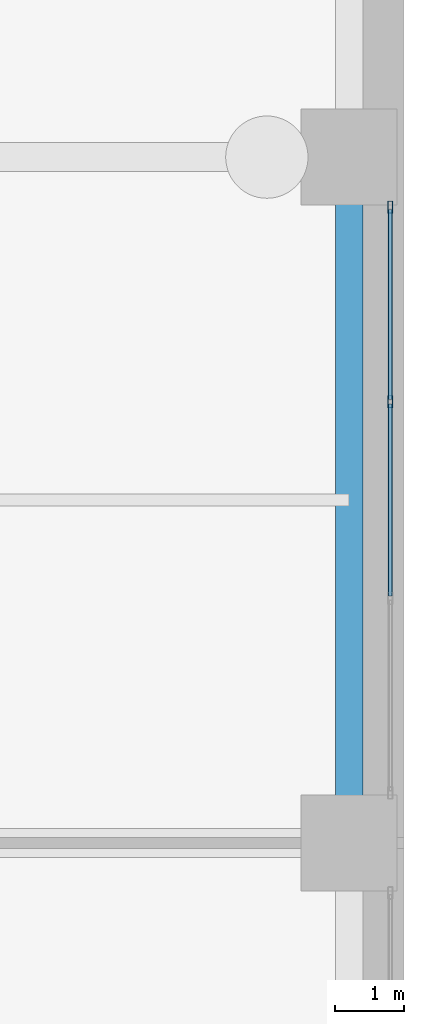
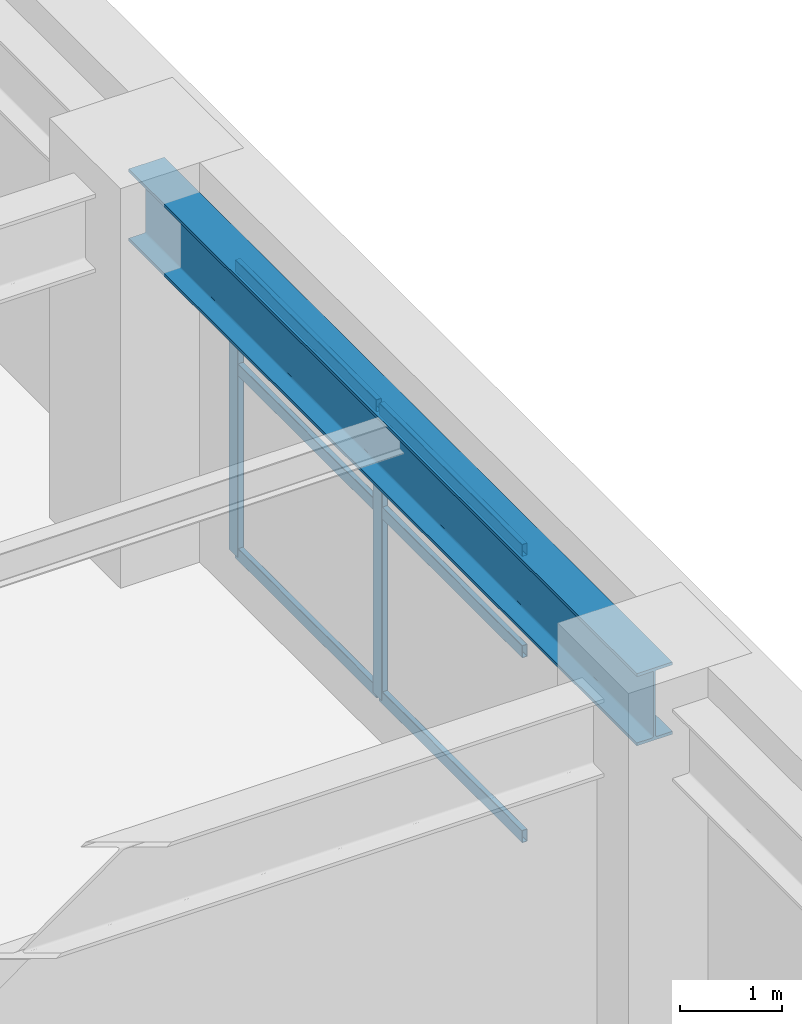
# One storey, part 15 of 25: 8 members, 1 beam, 1 element without a shape of its own.
"""IFC4 building model written with IfcOpenShell, lengths in metres."""

from ifc_helpers import new_model, si_unit, direction, frame, origin, origin_2d, place, context, subcontext, project, spatial, hollow_rectangle, i_section, extrude, material, layer, layer_set, material_profile, profile_set, type_object, element, aggregate, save


model = new_model("IFC4")

# Units and contexts
model_context = context("Model", 3, precision=1e-05, world=origin(), true_north=direction((0.0, 1.0)))
body_context = subcontext(model_context, "Body", "Model", "MODEL_VIEW")
ifc_project = project(units=[si_unit("LENGTHUNIT", "METRE"), si_unit("AREAUNIT", "SQUARE_METRE"), si_unit("VOLUMEUNIT", "CUBIC_METRE"), si_unit("PLANEANGLEUNIT", "RADIAN"), si_unit("MASSUNIT", "GRAM", prefix="KILO")], contexts=[model_context])

# Site, building, storey
site_placement = place(None, origin())
site = spatial("IfcSite", under=ifc_project, at=site_placement, CompositionType="ELEMENT")
building_placement = place(site_placement, origin())
building = spatial("IfcBuilding", under=site, at=building_placement, Name="Soratama Intermodal Tower", CompositionType="ELEMENT")
storey_placement = place(building_placement, frame((0.0, 0.0, -10.199951171875)))
storey = spatial("IfcBuildingStorey", under=building, at=storey_placement, Name="B2", CompositionType="ELEMENT", Elevation=-10.199951171875)

# Beam
ifc_material_1 = material(Name="Structural steel ASTM A992 Grade 50", Category="steel")
ifc_material_profile_1 = material_profile(ifc_material_1, i_section(OverallWidth=0.403076171875, OverallDepth=0.867919921875, WebThickness=0.02099609375, FlangeThickness=0.03564453125, FilletRadius=0.01806640625, at=origin_2d()), Name="W33X241")
ifc_profile_set_1 = profile_set([ifc_material_profile_1], Name="Structural steel ASTM A992 Grade 50")
beam_type = type_object("IfcBeamType", Name="BM-POD-EXT-W33", PredefinedType="BEAM", material=ifc_profile_set_1)
beam_placement = place(storey_placement, frame((83.199951171875, 25.0, 4.005859375), z_axis=(0.0, 1.0, 0.0), x_axis=(-1.0, 0.0, 0.0)))
element("IfcBeam", 1, at=beam_placement, inside=storey, type_object=beam_type, Name="B2 Station Girder Y4-3", PredefinedType="BEAM", context=body_context, shape_type="SweptSolid", body=[
    extrude(i_section(OverallWidth=0.403076171875, OverallDepth=0.867919921875, WebThickness=0.02099609375, FlangeThickness=0.03564453125, FilletRadius=0.01806640625, at=origin_2d()), origin(), (0.0, 0.0, 1.0), 10.0),
])

# Curtain wall, members
ifc_material_2 = material(Name="Double-glazed aluminium curtain wall", Category="aluminium")
ifc_layer = layer(ifc_material_2, 0.159912109375)
ifc_layer_set = layer_set([ifc_layer], Name="Double-glazed aluminium curtain wall")
curtain_wall_type = type_object("IfcCurtainWallType", Name="CW-SYS-1", PredefinedType="NOTDEFINED", material=ifc_layer_set)
curtain_wall_placement = place(storey_placement, origin())
curtain_wall = element("IfcCurtainWall", 2, at=curtain_wall_placement, inside=storey, type_object=curtain_wall_type, Name="B2 Station Curtain Wall E2", PredefinedType="NOTDEFINED")
ifc_material_3 = material(Name="Anodised aluminium AA 6063-T6", Category="aluminium")
ifc_material_profile_2 = material_profile(ifc_material_3, hollow_rectangle(XDim=0.074951171875, YDim=0.179931640625, WallThickness=0.006103515625, InnerFilletRadius=0.006103515625, OuterFilletRadius=0.011962890625, at=origin_2d()), Name="CWM180X75X6")
ifc_profile_set_2 = profile_set([ifc_material_profile_2], Name="Anodised aluminium AA 6063-T6")
member_type_1 = type_object("IfcMemberType", Name="MT-CWM-1", PredefinedType="MULLION", material=ifc_profile_set_2)
member_1_placement = place(storey_placement, frame((83.800048828125, 31.433349609375, 0.0), z_axis=(0.0, 0.0, 1.0), x_axis=(-1.0, 0.0, 0.0)))
member_1 = element("IfcMember", 3, at=member_1_placement, type_object=member_type_1, Name="CW-1 mullion 3", PredefinedType="MULLION", context=body_context, shape_type="SweptSolid", body=[
    extrude(hollow_rectangle(XDim=0.074951171875, YDim=0.179931640625, WallThickness=0.006103515625, InnerFilletRadius=0.006103515625, OuterFilletRadius=0.011962890625, at=origin_2d()), origin(), (0.0, 0.0, 1.0), 3.495849609375),
])
member_2_placement = place(storey_placement, frame((83.800048828125, 34.27001953125, 0.0), z_axis=(0.0, 0.0, 1.0), x_axis=(-1.0, 0.0, 0.0)))
member_2 = element("IfcMember", 4, at=member_2_placement, type_object=member_type_1, Name="CW-1 mullion 4", PredefinedType="MULLION", context=body_context, shape_type="SweptSolid", body=[
    extrude(hollow_rectangle(XDim=0.074951171875, YDim=0.179931640625, WallThickness=0.006103515625, InnerFilletRadius=0.006103515625, OuterFilletRadius=0.011962890625, at=origin_2d()), origin(), (0.0, 0.0, 1.0), 3.495849609375),
])
ifc_material_4 = material(Name="Anodised aluminium AA 6063-T6", Category="aluminium")
ifc_material_profile_3 = material_profile(ifc_material_4, hollow_rectangle(XDim=0.06494140625, YDim=0.14990234375, WallThickness=0.0048828125, InnerFilletRadius=0.0048828125, OuterFilletRadius=0.010009765625, at=origin_2d()), Name="CWT150X65X5")
ifc_profile_set_3 = profile_set([ifc_material_profile_3], Name="Anodised aluminium AA 6063-T6")
member_type_2 = type_object("IfcMemberType", Name="TT-CWT-1", PredefinedType="USERDEFINED", material=ifc_profile_set_3)
member_3_placement = place(storey_placement, frame((83.800048828125, 28.5966796875, 0.030029296875), z_axis=(0.0, 1.0, 0.0), x_axis=(-1.0, 0.0, 0.0)))
member_3 = element("IfcMember", 5, at=member_3_placement, type_object=member_type_2, Name="CW-1 transom 2.1", ObjectType="TRANSOM", PredefinedType="USERDEFINED", context=body_context, shape_type="SweptSolid", body=[
    extrude(hollow_rectangle(XDim=0.06494140625, YDim=0.14990234375, WallThickness=0.0048828125, InnerFilletRadius=0.0048828125, OuterFilletRadius=0.010009765625, at=origin_2d()), origin(), (0.0, 0.0, 1.0), 2.806640625),
])
member_4_placement = place(storey_placement, frame((83.800048828125, 28.5966796875, 2.25), z_axis=(0.0, 1.0, 0.0), x_axis=(-1.0, 0.0, 0.0)))
member_4 = element("IfcMember", 6, at=member_4_placement, type_object=member_type_2, Name="CW-1 transom 2.2", ObjectType="TRANSOM", PredefinedType="USERDEFINED", context=body_context, shape_type="SweptSolid", body=[
    extrude(hollow_rectangle(XDim=0.06494140625, YDim=0.14990234375, WallThickness=0.0048828125, InnerFilletRadius=0.0048828125, OuterFilletRadius=0.010009765625, at=origin_2d()), origin(), (0.0, 0.0, 1.0), 2.806640625),
])
member_5_placement = place(storey_placement, frame((83.800048828125, 28.5966796875, 3.466064453125), z_axis=(0.0, 1.0, 0.0), x_axis=(-1.0, 0.0, 0.0)))
member_5 = element("IfcMember", 7, at=member_5_placement, type_object=member_type_2, Name="CW-1 transom 2.3", ObjectType="TRANSOM", PredefinedType="USERDEFINED", context=body_context, shape_type="SweptSolid", body=[
    extrude(hollow_rectangle(XDim=0.06494140625, YDim=0.14990234375, WallThickness=0.0048828125, InnerFilletRadius=0.0048828125, OuterFilletRadius=0.010009765625, at=origin_2d()), origin(), (0.0, 0.0, 1.0), 2.806640625),
])
member_6_placement = place(storey_placement, frame((83.800048828125, 31.46337890625, 0.030029296875), z_axis=(0.0, 1.0, 0.0), x_axis=(-1.0, 0.0, 0.0)))
member_6 = element("IfcMember", 8, at=member_6_placement, type_object=member_type_2, Name="CW-1 transom 3.1", ObjectType="TRANSOM", PredefinedType="USERDEFINED", context=body_context, shape_type="SweptSolid", body=[
    extrude(hollow_rectangle(XDim=0.06494140625, YDim=0.14990234375, WallThickness=0.0048828125, InnerFilletRadius=0.0048828125, OuterFilletRadius=0.010009765625, at=origin_2d()), origin(), (0.0, 0.0, 1.0), 2.776611328125),
])
member_7_placement = place(storey_placement, frame((83.800048828125, 31.46337890625, 2.25), z_axis=(0.0, 1.0, 0.0), x_axis=(-1.0, 0.0, 0.0)))
member_7 = element("IfcMember", 9, at=member_7_placement, type_object=member_type_2, Name="CW-1 transom 3.2", ObjectType="TRANSOM", PredefinedType="USERDEFINED", context=body_context, shape_type="SweptSolid", body=[
    extrude(hollow_rectangle(XDim=0.06494140625, YDim=0.14990234375, WallThickness=0.0048828125, InnerFilletRadius=0.0048828125, OuterFilletRadius=0.010009765625, at=origin_2d()), origin(), (0.0, 0.0, 1.0), 2.776611328125),
])
member_8_placement = place(storey_placement, frame((83.800048828125, 31.46337890625, 3.466064453125), z_axis=(0.0, 1.0, 0.0), x_axis=(-1.0, 0.0, 0.0)))
member_8 = element("IfcMember", 10, at=member_8_placement, type_object=member_type_2, Name="CW-1 transom 3.3", ObjectType="TRANSOM", PredefinedType="USERDEFINED", context=body_context, shape_type="SweptSolid", body=[
    extrude(hollow_rectangle(XDim=0.06494140625, YDim=0.14990234375, WallThickness=0.0048828125, InnerFilletRadius=0.0048828125, OuterFilletRadius=0.010009765625, at=origin_2d()), origin(), (0.0, 0.0, 1.0), 2.776611328125),
])
aggregate(curtain_wall, [member_1, member_2, member_3, member_4, member_5, member_6, member_7, member_8])

save(model, "model.ifc")
